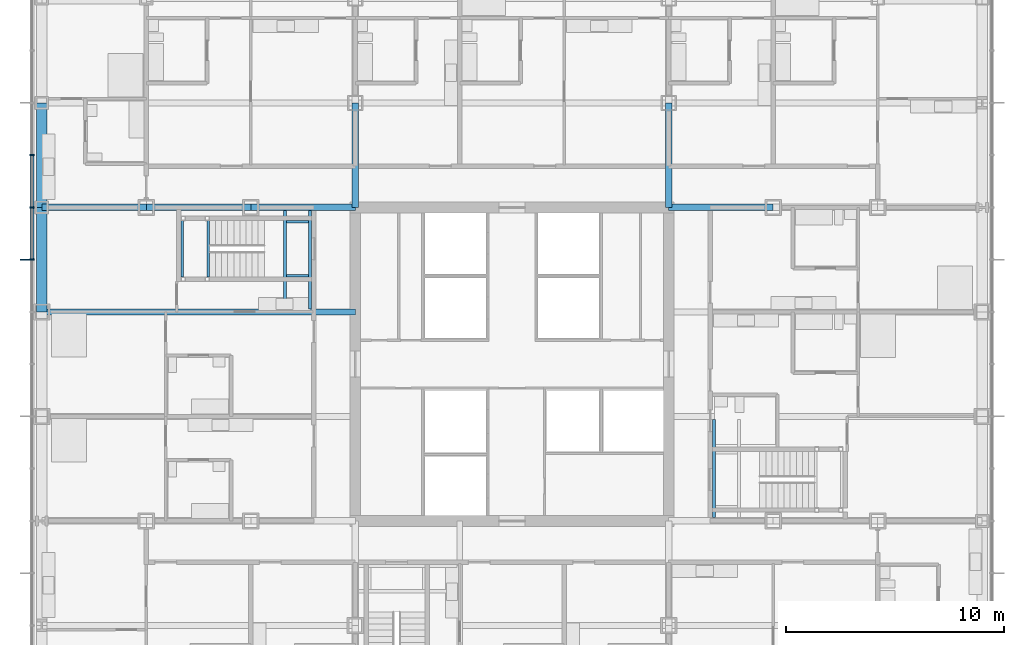
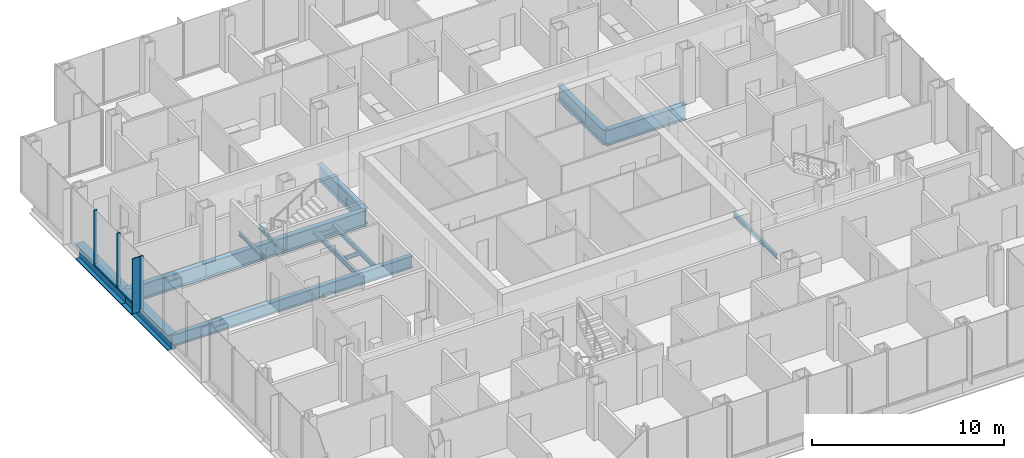
# One storey, part 8 of 21: 16 beams, 6 members, 1 element without a shape of its own.
"""IFC4 building model written with IfcOpenShell, lengths in metres."""

from ifc_helpers import new_model, si_unit, direction, frame, origin, origin_2d, place, context, subcontext, project, spatial, rectangle, i_section, extrude, material, material_profile, profile_set, type_object, element, aggregate, save


model = new_model("IFC4")

# Units and contexts
model_context = context("Model", 3, precision=1e-05, world=origin(), true_north=direction((0.0, 1.0)))
body_context = subcontext(model_context, "Body", "Model", "MODEL_VIEW")
ifc_project = project(units=[si_unit("LENGTHUNIT", "METRE"), si_unit("AREAUNIT", "SQUARE_METRE"), si_unit("VOLUMEUNIT", "CUBIC_METRE"), si_unit("PLANEANGLEUNIT", "RADIAN"), si_unit("MASSUNIT", "GRAM", prefix="KILO")], contexts=[model_context])

# Site, building, storey
site_placement = place(None, origin())
site = spatial("IfcSite", under=ifc_project, at=site_placement, CompositionType="ELEMENT")
building_placement = place(site_placement, origin())
building = spatial("IfcBuilding", under=site, at=building_placement, Name="Kvirike Care Tower", CompositionType="ELEMENT")
storey_placement = place(building_placement, frame((0.0, 0.0, 30.5)))
storey = spatial("IfcBuildingStorey", under=building, at=storey_placement, Name="L07", CompositionType="ELEMENT", Elevation=30.5)

# Curtain wall, members
ifc_material_1 = material(Name="Anodised aluminium stick system", Category="aluminium")
curtain_wall_type = type_object("IfcCurtainWallType", Name="CW-A STICK CURTAIN WALL", PredefinedType="NOTDEFINED", material=ifc_material_1)
curtain_wall_placement = place(storey_placement, origin())
curtain_wall = element("IfcCurtainWall", 1, at=curtain_wall_placement, inside=storey, type_object=curtain_wall_type, Name="Curtain wall L07 face 1", PredefinedType="NOTDEFINED")
ifc_material_2 = material(Name="Bronze anodised aluminium fin", Category="aluminium")
ifc_material_profile_1 = material_profile(ifc_material_2, rectangle(XDim=0.050048828125, YDim=0.449951171875, at=origin_2d()), Name="BRONZE FIN 450")
ifc_profile_set_1 = profile_set([ifc_material_profile_1], Name="Bronze anodised aluminium fin")
member_type_1 = type_object("IfcMemberType", Name="BRONZE FIN 450", PredefinedType="USERDEFINED", material=ifc_profile_set_1)
member_1_placement = place(storey_placement, frame((-0.77490234375, 40.800048828125, 0.0), z_axis=(0.0, 0.0, 1.0), x_axis=(0.0, -1.0, 0.0)))
member_1 = element("IfcMember", 2, at=member_1_placement, type_object=member_type_1, Name="Bronze fin L07 face 1.6", ObjectType="FIN", PredefinedType="USERDEFINED", context=body_context, shape_type="SweptSolid", body=[
    extrude(rectangle(XDim=0.050048828125, YDim=0.449951171875, at=origin_2d()), origin(), (0.0, 0.0, 1.0), 3.5),
])
ifc_material_3 = material(Name="Bronze anodised aluminium mullion", Category="aluminium")
ifc_material_profile_2 = material_profile(ifc_material_3, rectangle(XDim=0.06494140625, YDim=0.199951171875, at=origin_2d()), Name="CW-A MULLION 65x200")
ifc_profile_set_2 = profile_set([ifc_material_profile_2], Name="Bronze anodised aluminium mullion")
member_type_2 = type_object("IfcMemberType", Name="CW-A MULLION 65x200", PredefinedType="MULLION", material=ifc_profile_set_2)
member_2_placement = place(storey_placement, frame((-0.449951171875, 45.60009765625, 0.0), z_axis=(0.0, 0.0, 1.0), x_axis=(0.0, -1.0, 0.0)))
member_2 = element("IfcMember", 3, at=member_2_placement, type_object=member_type_2, Name="CW-A mullion L07 face 1.4", PredefinedType="MULLION", context=body_context, shape_type="SweptSolid", body=[
    extrude(rectangle(XDim=0.06494140625, YDim=0.199951171875, at=origin_2d()), origin(), (0.0, 0.0, 1.0), 3.5),
])
member_3_placement = place(storey_placement, frame((-0.449951171875, 43.199951171875, 0.0), z_axis=(0.0, 0.0, 1.0), x_axis=(0.0, -1.0, 0.0)))
member_3 = element("IfcMember", 4, at=member_3_placement, type_object=member_type_2, Name="CW-A mullion L07 face 1.5", PredefinedType="MULLION", context=body_context, shape_type="SweptSolid", body=[
    extrude(rectangle(XDim=0.06494140625, YDim=0.199951171875, at=origin_2d()), origin(), (0.0, 0.0, 1.0), 3.5),
])
member_4_placement = place(storey_placement, frame((-0.449951171875, 40.800048828125, 0.0), z_axis=(0.0, 0.0, 1.0), x_axis=(0.0, -1.0, 0.0)))
member_4 = element("IfcMember", 5, at=member_4_placement, type_object=member_type_2, Name="CW-A mullion L07 face 1.6", PredefinedType="MULLION", context=body_context, shape_type="SweptSolid", body=[
    extrude(rectangle(XDim=0.06494140625, YDim=0.199951171875, at=origin_2d()), origin(), (0.0, 0.0, 1.0), 3.5),
])
ifc_material_4 = material(Name="Bronze anodised aluminium transom", Category="aluminium")
ifc_material_profile_3 = material_profile(ifc_material_4, rectangle(XDim=0.199951171875, YDim=0.10009765625, at=origin_2d()), Name="CW-A TRANSOM 200x100")
ifc_profile_set_3 = profile_set([ifc_material_profile_3], Name="Bronze anodised aluminium transom")
member_type_3 = type_object("IfcMemberType", Name="CW-A TRANSOM 200x100", PredefinedType="USERDEFINED", material=ifc_profile_set_3)
member_5_placement = place(storey_placement, frame((-0.449951171875, 45.5673828125, 0.050048828125), z_axis=(0.0, -1.0, 0.0), x_axis=(1.0, 0.0, 0.0)))
member_5 = element("IfcMember", 6, at=member_5_placement, type_object=member_type_3, Name="CW-A sill transom L07 face 1.4", ObjectType="TRANSOM", PredefinedType="USERDEFINED", context=body_context, shape_type="SweptSolid", body=[
    extrude(rectangle(XDim=0.199951171875, YDim=0.10009765625, at=origin_2d()), origin(), (0.0, 0.0, 1.0), 2.3349609375),
])
member_6_placement = place(storey_placement, frame((-0.449951171875, 43.16748046875, 0.050048828125), z_axis=(0.0, -1.0, 0.0), x_axis=(1.0, 0.0, 0.0)))
member_6 = element("IfcMember", 7, at=member_6_placement, type_object=member_type_3, Name="CW-A sill transom L07 face 1.5", ObjectType="TRANSOM", PredefinedType="USERDEFINED", context=body_context, shape_type="SweptSolid", body=[
    extrude(rectangle(XDim=0.199951171875, YDim=0.10009765625, at=origin_2d()), origin(), (0.0, 0.0, 1.0), 2.3349609375),
])
aggregate(curtain_wall, [member_2, member_3, member_4, member_1, member_5, member_6])

# Beams
ifc_material_5 = material(Name="Steel S355", Category="steel")
ifc_material_profile_4 = material_profile(ifc_material_5, i_section(OverallWidth=0.26806640625, OverallDepth=0.77001953125, WebThickness=0.015625, FlangeThickness=0.025390625, FilletRadius=0.01708984375, at=origin_2d()), Name="IPE 750x196")
ifc_profile_set_4 = profile_set([ifc_material_profile_4], Name="Steel S355")
beam_type_1 = type_object("IfcBeamType", Name="FLOOR BEAM IPE 750x196", PredefinedType="BEAM", material=ifc_profile_set_4)
beam_1_placement = place(storey_placement, frame((0.0, 38.39990234375, -0.554931640625), z_axis=(1.0, 0.0, 0.0), x_axis=(0.0, 1.0, 0.0)))
element("IfcBeam", 8, at=beam_1_placement, inside=storey, type_object=beam_type_1, Name="Floor Beam J3-J6 L07", PredefinedType="BEAM", context=body_context, shape_type="SweptSolid", body=[
    extrude(i_section(OverallWidth=0.26806640625, OverallDepth=0.77001953125, WebThickness=0.015625, FlangeThickness=0.025390625, FilletRadius=0.01708984375, at=origin_2d()), origin(), (0.0, 0.0, 1.0), 14.39990234375),
])
ifc_material_6 = material(Name="Steel S355", Category="steel")
ifc_material_profile_5 = material_profile(ifc_material_6, i_section(OverallWidth=0.300048828125, OverallDepth=1.0, WebThickness=0.01904296875, FlangeThickness=0.035888671875, FilletRadius=0.030029296875, at=origin_2d()), Name="HE 1000 B")
ifc_profile_set_5 = profile_set([ifc_material_profile_5], Name="Steel S355")
beam_type_2 = type_object("IfcBeamType", Name="FRAME BEAM HE 1000 B", PredefinedType="BEAM", material=ifc_profile_set_5)
for number, where, z_axis, x_axis, name in (
    (9, (0.0, 43.199951171875, -0.669921875), (1.0, 0.0, 0.0), (0.0, 1.0, 0.0), "Frame Beam K3-K4 L07"),
    (10, (4.800048828125, 43.199951171875, -0.669921875), (1.0, 0.0, 0.0), (0.0, 1.0, 0.0), "Frame Beam K4-K5 L07"),
):
    element("IfcBeam", number, at=place(storey_placement, frame(where, z_axis=z_axis, x_axis=x_axis)), inside=storey, type_object=beam_type_2, Name=name, PredefinedType="BEAM", context=body_context, shape_type="SweptSolid", body=[
        extrude(i_section(OverallWidth=0.300048828125, OverallDepth=1.0, WebThickness=0.01904296875, FlangeThickness=0.035888671875, FilletRadius=0.030029296875, at=origin_2d()), origin(), (0.0, 0.0, 1.0), 4.800048828125),
    ])
beam_2_placement = place(storey_placement, frame((9.60009765625, 43.199951171875, -0.669921875), z_axis=(1.0, 0.0, 0.0), x_axis=(0.0, 1.0, 0.0)))
element("IfcBeam", 11, at=beam_2_placement, inside=storey, type_object=beam_type_2, Name="Frame Beam K5-K6 L07", PredefinedType="BEAM", context=body_context, shape_type="SweptSolid", body=[
    extrude(i_section(OverallWidth=0.300048828125, OverallDepth=1.0, WebThickness=0.01904296875, FlangeThickness=0.035888671875, FilletRadius=0.030029296875, at=origin_2d()), origin(), (0.0, 0.0, 1.0), 4.7998046875),
])
for number, where, z_axis, x_axis, name in (
    (12, (28.800048828125, 43.199951171875, -0.669921875), (1.0, 0.0, 0.0), (0.0, 1.0, 0.0), "Frame Beam K9-K10 L07"),
    (13, (14.39990234375, 43.199951171875, -0.669921875), (0.0, 1.0, 0.0), (-1.0, 0.0, 0.0), "Frame Beam K6-L6 L07"),
    (14, (28.800048828125, 43.199951171875, -0.669921875), (0.0, 1.0, 0.0), (-1.0, 0.0, 0.0), "Frame Beam K9-L9 L07"),
):
    element("IfcBeam", number, at=place(storey_placement, frame(where, z_axis=z_axis, x_axis=x_axis)), inside=storey, type_object=beam_type_2, Name=name, PredefinedType="BEAM", context=body_context, shape_type="SweptSolid", body=[
        extrude(i_section(OverallWidth=0.300048828125, OverallDepth=1.0, WebThickness=0.01904296875, FlangeThickness=0.035888671875, FilletRadius=0.030029296875, at=origin_2d()), origin(), (0.0, 0.0, 1.0), 4.800048828125),
    ])
ifc_material_7 = material(Name="Steel S355", Category="steel")
ifc_material_profile_6 = material_profile(ifc_material_7, i_section(OverallWidth=0.5, OverallDepth=1.0, WebThickness=0.030029296875, FlangeThickness=0.06005859375, at=origin_2d()), Name="PG 1000x500x30x60")
ifc_profile_set_6 = profile_set([ifc_material_profile_6], Name="Steel S355")
beam_type_3 = type_object("IfcBeamType", Name="SPANDREL PG 1000x500x30x60", PredefinedType="SPANDREL", material=ifc_profile_set_6)
for number, where, z_axis, x_axis, name in (
    (15, (0.0, 38.39990234375, -0.669921875), (0.0, 1.0, 0.0), (-1.0, 0.0, 0.0), "Spandrel J3-K3 L07"),
    (16, (0.0, 43.199951171875, -0.669921875), (0.0, 1.0, 0.0), (-1.0, 0.0, 0.0), "Spandrel K3-L3 L07"),
):
    element("IfcBeam", number, at=place(storey_placement, frame(where, z_axis=z_axis, x_axis=x_axis)), inside=storey, type_object=beam_type_3, Name=name, PredefinedType="SPANDREL", context=body_context, shape_type="SweptSolid", body=[
        extrude(i_section(OverallWidth=0.5, OverallDepth=1.0, WebThickness=0.030029296875, FlangeThickness=0.06005859375, at=origin_2d()), origin(), (0.0, 0.0, 1.0), 4.800048828125),
    ])
ifc_material_8 = material(Name="Steel S355", Category="steel")
ifc_material_profile_7 = material_profile(ifc_material_8, i_section(OverallWidth=0.1201171875, OverallDepth=0.239990234375, WebThickness=0.006103515625, FlangeThickness=0.009765625, FilletRadius=0.014892578125, at=origin_2d()), Name="IPE 240")
ifc_profile_set_7 = profile_set([ifc_material_profile_7], Name="Steel S355")
beam_type_4 = type_object("IfcBeamType", Name="STAIR LANDING BEAM IPE 240", PredefinedType="BEAM", material=ifc_profile_set_7)
for number, where, z_axis, x_axis, name in (
    (17, (6.4599609375, 42.60009765625, 1.429931640625), (0.0, -1.0, 0.0), (1.0, 0.0, 0.0), "Stair 1 landing beam back L07"),
    (18, (7.639892578125, 42.60009765625, 1.429931640625), (0.0, -1.0, 0.0), (1.0, 0.0, 0.0), "Stair 1 landing beam front L07"),
):
    element("IfcBeam", number, at=place(storey_placement, frame(where, z_axis=z_axis, x_axis=x_axis)), inside=storey, type_object=beam_type_4, Name=name, PredefinedType="BEAM", context=body_context, shape_type="SweptSolid", body=[
        extrude(i_section(OverallWidth=0.1201171875, OverallDepth=0.239990234375, WebThickness=0.006103515625, FlangeThickness=0.009765625, FilletRadius=0.014892578125, at=origin_2d()), origin(), (0.0, 0.0, 1.0), 2.60009765625),
    ])
for number, where, z_axis, x_axis, name in (
    (19, (11.25, 42.5400390625, -0.320068359375), (1.0, 0.0, 0.0), (0.0, 1.0, 0.0), "Stair 1 landing edge beam 1 L07"),
    (20, (11.25, 40.06005859375, -0.320068359375), (1.0, 0.0, 0.0), (0.0, 1.0, 0.0), "Stair 1 landing edge beam 2 L07"),
):
    element("IfcBeam", number, at=place(storey_placement, frame(where, z_axis=z_axis, x_axis=x_axis)), inside=storey, type_object=beam_type_4, Name=name, PredefinedType="BEAM", context=body_context, shape_type="SweptSolid", body=[
        extrude(i_section(OverallWidth=0.1201171875, OverallDepth=0.239990234375, WebThickness=0.006103515625, FlangeThickness=0.009765625, FilletRadius=0.014892578125, at=origin_2d()), origin(), (0.0, 0.0, 1.0), 1.0),
    ])
ifc_material_9 = material(Name="Steel S355", Category="steel")
ifc_material_profile_8 = material_profile(ifc_material_9, i_section(OverallWidth=0.14990234375, OverallDepth=0.300048828125, WebThickness=0.007080078125, FlangeThickness=0.0107421875, FilletRadius=0.014892578125, at=origin_2d()), Name="IPE 300")
ifc_profile_set_8 = profile_set([ifc_material_profile_8], Name="Steel S355")
beam_type_5 = type_object("IfcBeamType", Name="STAIR TRIMMER IPE 300", PredefinedType="BEAM", material=ifc_profile_set_8)
for number, where, z_axis, x_axis, name in (
    (21, (11.175048828125, 43.050048828125, -0.35009765625), (0.0, -1.0, 0.0), (1.0, 0.0, 0.0), "Stair 1 trimmer 1 L07"),
    (22, (12.324951171875, 43.050048828125, -0.35009765625), (0.0, -1.0, 0.0), (1.0, 0.0, 0.0), "Stair 1 trimmer 2 L07"),
    (23, (30.875, 28.949951171875, -0.35009765625), (0.0, 1.0, 0.0), (-1.0, 0.0, 0.0), "Stair 2 trimmer 2 L07"),
):
    element("IfcBeam", number, at=place(storey_placement, frame(where, z_axis=z_axis, x_axis=x_axis)), inside=storey, type_object=beam_type_5, Name=name, PredefinedType="BEAM", context=body_context, shape_type="SweptSolid", body=[
        extrude(i_section(OverallWidth=0.14990234375, OverallDepth=0.300048828125, WebThickness=0.007080078125, FlangeThickness=0.0107421875, FilletRadius=0.014892578125, at=origin_2d()), origin(), (0.0, 0.0, 1.0), 4.51611328125),
    ])

save(model, "model.ifc")
